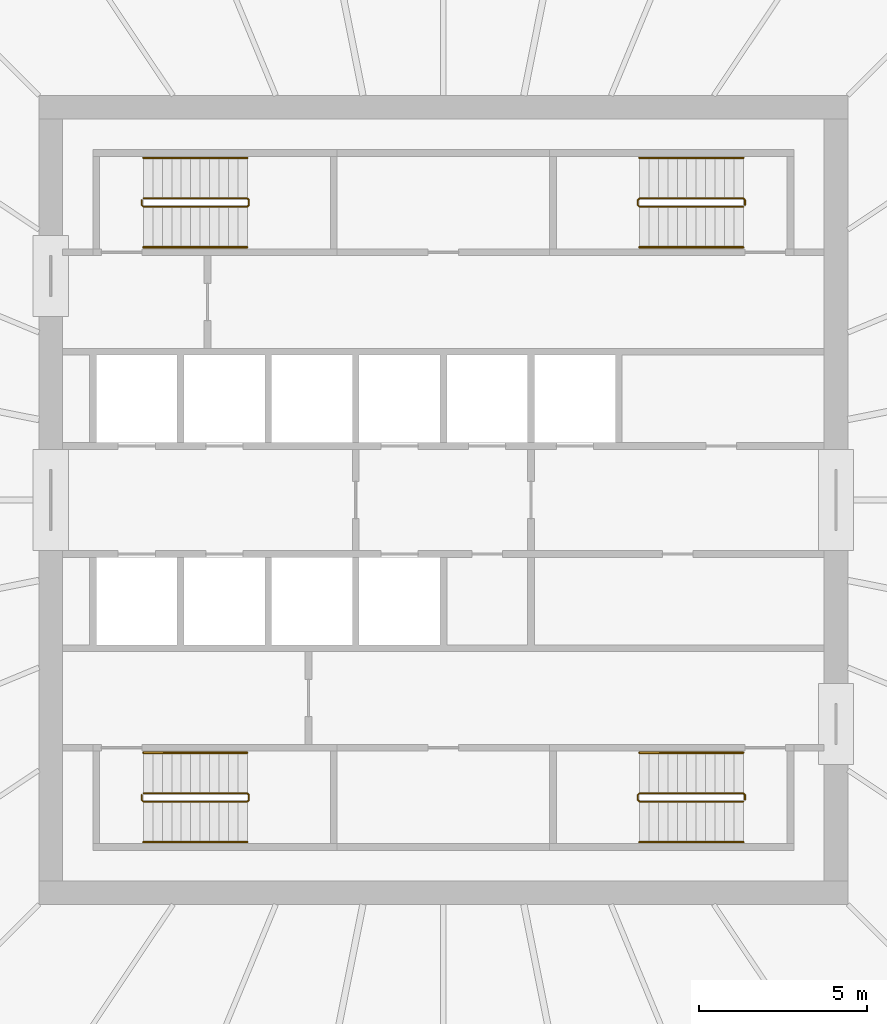
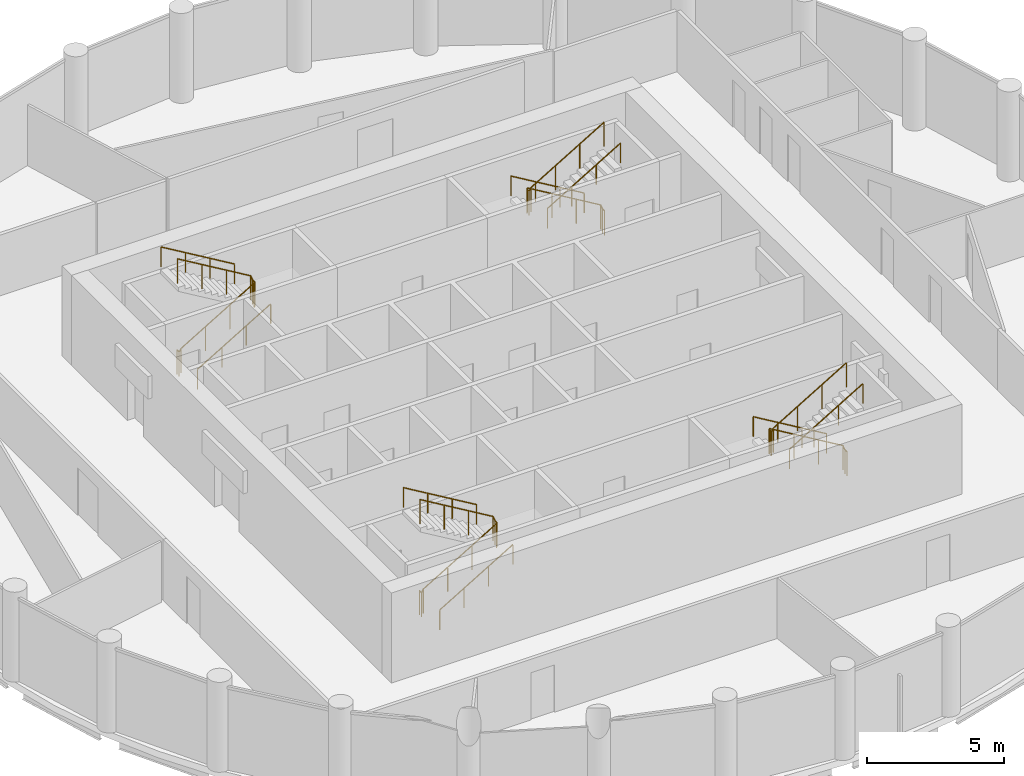
# One storey, part 7 of 7: 12 railings.
"""IFC4 building model written with IfcOpenShell, lengths in metres."""

from ifc_helpers import new_model, si_unit, direction, frame, origin, origin_2d, place, context, subcontext, project, spatial, circle, extrude, material, type_object, element, save


model = new_model("IFC4")

# Units and contexts
model_context = context("Model", 3, precision=1e-05, world=origin(), true_north=direction((0.0, 1.0)))
body_context = subcontext(model_context, "Body", "Model", "MODEL_VIEW")
ifc_project = project(units=[si_unit("LENGTHUNIT", "METRE"), si_unit("AREAUNIT", "SQUARE_METRE"), si_unit("VOLUMEUNIT", "CUBIC_METRE"), si_unit("PLANEANGLEUNIT", "RADIAN"), si_unit("MASSUNIT", "GRAM", prefix="KILO")], contexts=[model_context])

# Site, building, storey
site_placement = place(None, origin())
site = spatial("IfcSite", under=ifc_project, at=site_placement, CompositionType="ELEMENT")
building_placement = place(site_placement, origin())
building = spatial("IfcBuilding", under=site, at=building_placement, Name="Corvane Civic Tower", CompositionType="ELEMENT")
storey_placement = place(building_placement, frame((0.0, 0.0, 287.0)))
storey = spatial("IfcBuildingStorey", under=building, at=storey_placement, Name="L68", CompositionType="ELEMENT", Elevation=287.0)

# Railings
ifc_material_1 = material(Name="Steel ASTM A572 Gr 50", Category="steel")
railing_type_1 = type_object("IfcRailingType", Name="ST-GUARD-1100", PredefinedType="GUARDRAIL", material=ifc_material_1)
railing_1_placement = place(storey_placement, frame((8.949951171875, 8.75, 0.0)))
element("IfcRailing", 1, at=railing_1_placement, inside=storey, type_object=railing_type_1, Name="L68 ST1 stair guard 1", PredefinedType="GUARDRAIL", context=body_context, shape_type="SweptSolid", body=[
    extrude(circle(Radius=0.02392578125, at=origin_2d()), frame((0.0, 0.0, 1.076171875), z_axis=(0.0, 1.0, 0.0), x_axis=(-1.0, 0.0, 0.0)), (0.0, 0.0, 1.0), 0.14990234375),
    extrude(circle(Radius=0.02392578125, at=origin_2d()), frame((0.0, 0.14990234375, 1.076171875), z_axis=(-0.27628659633, 0.27628659633, 0.920506074601), x_axis=(-0.707106781187, -0.707106781187, 0.0)), (0.0, 0.0, 1.0), 0.18115234375),
    extrude(circle(Radius=0.02392578125, at=origin_2d()), frame((-0.050048828125, 0.199951171875, 1.24267578125), z_axis=(-0.859290745958, 0.0, 0.51148745235), x_axis=(0.0, -1.0, 0.0)), (0.0, 0.0, 1.0), 3.584228515625),
    extrude(circle(Radius=0.02392578125, at=origin_2d()), frame((-3.1298828125, 0.199951171875, 3.076171875), z_axis=(-0.707106781187, -0.707106781187, 0.0), x_axis=(0.707106781187, -0.707106781187, 0.0)), (0.0, 0.0, 1.0), 0.07080078125),
    extrude(circle(Radius=0.02392578125, at=origin_2d()), frame((-3.179931640625, 0.14990234375, 3.076171875), z_axis=(0.0, -1.0, 0.0), x_axis=(1.0, 0.0, 0.0)), (0.0, 0.0, 1.0), 0.14990234375),
    extrude(circle(Radius=0.02392578125, at=origin_2d()), frame((-3.179931640625, 0.0, 3.076171875), z_axis=(0.27628659633, -0.27628659633, 0.920506074601), x_axis=(0.707106781187, 0.707106781187, 0.0)), (0.0, 0.0, 1.0), 0.18115234375),
    extrude(circle(Radius=0.02392578125, at=origin_2d()), frame((-3.1298828125, -0.050048828125, 3.24267578125), z_axis=(0.859290745958, 0.0, 0.51148745235), x_axis=(0.0, 1.0, 0.0)), (0.0, 0.0, 1.0), 3.584228515625),
    extrude(circle(Radius=0.02099609375, at=origin_2d()), origin(), (0.0, 0.0, 1.0), 1.052001953125),
    extrude(circle(Radius=0.02099609375, at=origin_2d()), frame((0.0, 0.14990234375, 0.0)), (0.0, 0.0, 1.0), 1.052001953125),
    extrude(circle(Radius=0.02099609375, at=origin_2d()), frame((-0.050048828125, 0.199951171875, 0.166748046875)), (0.0, 0.0, 1.0), 1.052001953125),
    extrude(circle(Radius=0.02099609375, at=origin_2d()), frame((-1.07666015625, 0.199951171875, 0.77783203125)), (0.0, 0.0, 1.0), 1.052001953125),
    extrude(circle(Radius=0.02099609375, at=origin_2d()), frame((-2.103271484375, 0.199951171875, 1.388916015625)), (0.0, 0.0, 1.0), 1.052001953125),
    extrude(circle(Radius=0.02099609375, at=origin_2d()), frame((-3.1298828125, 0.199951171875, 2.0)), (0.0, 0.0, 1.0), 1.052001953125),
    extrude(circle(Radius=0.02099609375, at=origin_2d()), frame((-3.179931640625, 0.14990234375, 2.0)), (0.0, 0.0, 1.0), 1.052001953125),
    extrude(circle(Radius=0.02099609375, at=origin_2d()), frame((-3.179931640625, 0.0, 2.0)), (0.0, 0.0, 1.0), 1.052001953125),
    extrude(circle(Radius=0.02099609375, at=origin_2d()), frame((-3.1298828125, -0.050048828125, 2.166748046875)), (0.0, 0.0, 1.0), 1.052001953125),
    extrude(circle(Radius=0.02099609375, at=origin_2d()), frame((-2.103271484375, -0.050048828125, 2.77783203125)), (0.0, 0.0, 1.0), 1.052001953125),
    extrude(circle(Radius=0.02099609375, at=origin_2d()), frame((-1.07666015625, -0.050048828125, 3.388916015625)), (0.0, 0.0, 1.0), 1.052001953125),
    extrude(circle(Radius=0.02099609375, at=origin_2d()), frame((-0.050048828125, -0.050048828125, 4.0)), (0.0, 0.0, 1.0), 1.052001953125),
])
railing_2_placement = place(storey_placement, frame((8.949951171875, -8.89990234375, 0.0)))
element("IfcRailing", 2, at=railing_2_placement, inside=storey, type_object=railing_type_1, Name="L68 ST2 stair guard 1", PredefinedType="GUARDRAIL", context=body_context, shape_type="SweptSolid", body=[
    extrude(circle(Radius=0.02392578125, at=origin_2d()), frame((0.0, 0.0, 1.076171875), z_axis=(0.0, 1.0, 0.0), x_axis=(-1.0, 0.0, 0.0)), (0.0, 0.0, 1.0), 0.14990234375),
    extrude(circle(Radius=0.02392578125, at=origin_2d()), frame((0.0, 0.14990234375, 1.076171875), z_axis=(-0.27628659633, 0.27628659633, 0.920506074601), x_axis=(-0.707106781187, -0.707106781187, 0.0)), (0.0, 0.0, 1.0), 0.18115234375),
    extrude(circle(Radius=0.02392578125, at=origin_2d()), frame((-0.050048828125, 0.199951171875, 1.24267578125), z_axis=(-0.859290745958, 0.0, 0.51148745235), x_axis=(0.0, -1.0, 0.0)), (0.0, 0.0, 1.0), 3.584228515625),
    extrude(circle(Radius=0.02392578125, at=origin_2d()), frame((-3.1298828125, 0.199951171875, 3.076171875), z_axis=(-0.707106781187, -0.707106781187, 0.0), x_axis=(0.707106781187, -0.707106781187, 0.0)), (0.0, 0.0, 1.0), 0.07080078125),
    extrude(circle(Radius=0.02392578125, at=origin_2d()), frame((-3.179931640625, 0.14990234375, 3.076171875), z_axis=(0.0, -1.0, 0.0), x_axis=(1.0, 0.0, 0.0)), (0.0, 0.0, 1.0), 0.14990234375),
    extrude(circle(Radius=0.02392578125, at=origin_2d()), frame((-3.179931640625, 0.0, 3.076171875), z_axis=(0.27628659633, -0.27628659633, 0.920506074601), x_axis=(0.707106781187, 0.707106781187, 0.0)), (0.0, 0.0, 1.0), 0.18115234375),
    extrude(circle(Radius=0.02392578125, at=origin_2d()), frame((-3.1298828125, -0.050048828125, 3.24267578125), z_axis=(0.859290745958, 0.0, 0.51148745235), x_axis=(0.0, 1.0, 0.0)), (0.0, 0.0, 1.0), 3.584228515625),
    extrude(circle(Radius=0.02099609375, at=origin_2d()), origin(), (0.0, 0.0, 1.0), 1.052001953125),
    extrude(circle(Radius=0.02099609375, at=origin_2d()), frame((0.0, 0.14990234375, 0.0)), (0.0, 0.0, 1.0), 1.052001953125),
    extrude(circle(Radius=0.02099609375, at=origin_2d()), frame((-0.050048828125, 0.199951171875, 0.166748046875)), (0.0, 0.0, 1.0), 1.052001953125),
    extrude(circle(Radius=0.02099609375, at=origin_2d()), frame((-1.07666015625, 0.199951171875, 0.77783203125)), (0.0, 0.0, 1.0), 1.052001953125),
    extrude(circle(Radius=0.02099609375, at=origin_2d()), frame((-2.103271484375, 0.199951171875, 1.388916015625)), (0.0, 0.0, 1.0), 1.052001953125),
    extrude(circle(Radius=0.02099609375, at=origin_2d()), frame((-3.1298828125, 0.199951171875, 2.0)), (0.0, 0.0, 1.0), 1.052001953125),
    extrude(circle(Radius=0.02099609375, at=origin_2d()), frame((-3.179931640625, 0.14990234375, 2.0)), (0.0, 0.0, 1.0), 1.052001953125),
    extrude(circle(Radius=0.02099609375, at=origin_2d()), frame((-3.179931640625, 0.0, 2.0)), (0.0, 0.0, 1.0), 1.052001953125),
    extrude(circle(Radius=0.02099609375, at=origin_2d()), frame((-3.1298828125, -0.050048828125, 2.166748046875)), (0.0, 0.0, 1.0), 1.052001953125),
    extrude(circle(Radius=0.02099609375, at=origin_2d()), frame((-2.103271484375, -0.050048828125, 2.77783203125)), (0.0, 0.0, 1.0), 1.052001953125),
    extrude(circle(Radius=0.02099609375, at=origin_2d()), frame((-1.07666015625, -0.050048828125, 3.388916015625)), (0.0, 0.0, 1.0), 1.052001953125),
    extrude(circle(Radius=0.02099609375, at=origin_2d()), frame((-0.050048828125, -0.050048828125, 4.0)), (0.0, 0.0, 1.0), 1.052001953125),
])
railing_3_placement = place(storey_placement, frame((-8.949951171875, -8.75, 0.0)))
element("IfcRailing", 3, at=railing_3_placement, inside=storey, type_object=railing_type_1, Name="L68 ST3 stair guard 1", PredefinedType="GUARDRAIL", context=body_context, shape_type="SweptSolid", body=[
    extrude(circle(Radius=0.02392578125, at=origin_2d()), frame((0.0, 0.0, 1.076171875), z_axis=(0.0, -1.0, 0.0), x_axis=(1.0, 0.0, 0.0)), (0.0, 0.0, 1.0), 0.14990234375),
    extrude(circle(Radius=0.02392578125, at=origin_2d()), frame((0.0, -0.14990234375, 1.076171875), z_axis=(0.27628659633, -0.27628659633, 0.920506074601), x_axis=(0.707106781187, 0.707106781187, 0.0)), (0.0, 0.0, 1.0), 0.18115234375),
    extrude(circle(Radius=0.02392578125, at=origin_2d()), frame((0.050048828125, -0.199951171875, 1.24267578125), z_axis=(0.859290745958, 0.0, 0.51148745235), x_axis=(0.0, 1.0, 0.0)), (0.0, 0.0, 1.0), 3.584228515625),
    extrude(circle(Radius=0.02392578125, at=origin_2d()), frame((3.1298828125, -0.199951171875, 3.076171875), z_axis=(0.707106781187, 0.707106781187, 0.0), x_axis=(-0.707106781187, 0.707106781187, 0.0)), (0.0, 0.0, 1.0), 0.07080078125),
    extrude(circle(Radius=0.02392578125, at=origin_2d()), frame((3.179931640625, -0.14990234375, 3.076171875), z_axis=(0.0, 1.0, 0.0), x_axis=(-1.0, 0.0, 0.0)), (0.0, 0.0, 1.0), 0.14990234375),
    extrude(circle(Radius=0.02392578125, at=origin_2d()), frame((3.179931640625, 0.0, 3.076171875), z_axis=(-0.27628659633, 0.27628659633, 0.920506074601), x_axis=(-0.707106781187, -0.707106781187, 0.0)), (0.0, 0.0, 1.0), 0.18115234375),
    extrude(circle(Radius=0.02392578125, at=origin_2d()), frame((3.1298828125, 0.050048828125, 3.24267578125), z_axis=(-0.859290745958, 0.0, 0.51148745235), x_axis=(0.0, -1.0, 0.0)), (0.0, 0.0, 1.0), 3.584228515625),
    extrude(circle(Radius=0.02099609375, at=origin_2d()), origin(), (0.0, 0.0, 1.0), 1.052001953125),
    extrude(circle(Radius=0.02099609375, at=origin_2d()), frame((0.0, -0.14990234375, 0.0)), (0.0, 0.0, 1.0), 1.052001953125),
    extrude(circle(Radius=0.02099609375, at=origin_2d()), frame((0.050048828125, -0.199951171875, 0.166748046875)), (0.0, 0.0, 1.0), 1.052001953125),
    extrude(circle(Radius=0.02099609375, at=origin_2d()), frame((1.07666015625, -0.199951171875, 0.77783203125)), (0.0, 0.0, 1.0), 1.052001953125),
    extrude(circle(Radius=0.02099609375, at=origin_2d()), frame((2.103271484375, -0.199951171875, 1.388916015625)), (0.0, 0.0, 1.0), 1.052001953125),
    extrude(circle(Radius=0.02099609375, at=origin_2d()), frame((3.1298828125, -0.199951171875, 2.0)), (0.0, 0.0, 1.0), 1.052001953125),
    extrude(circle(Radius=0.02099609375, at=origin_2d()), frame((3.179931640625, -0.14990234375, 2.0)), (0.0, 0.0, 1.0), 1.052001953125),
    extrude(circle(Radius=0.02099609375, at=origin_2d()), frame((3.179931640625, 0.0, 2.0)), (0.0, 0.0, 1.0), 1.052001953125),
    extrude(circle(Radius=0.02099609375, at=origin_2d()), frame((3.1298828125, 0.050048828125, 2.166748046875)), (0.0, 0.0, 1.0), 1.052001953125),
    extrude(circle(Radius=0.02099609375, at=origin_2d()), frame((2.103271484375, 0.050048828125, 2.77783203125)), (0.0, 0.0, 1.0), 1.052001953125),
    extrude(circle(Radius=0.02099609375, at=origin_2d()), frame((1.07666015625, 0.050048828125, 3.388916015625)), (0.0, 0.0, 1.0), 1.052001953125),
    extrude(circle(Radius=0.02099609375, at=origin_2d()), frame((0.050048828125, 0.050048828125, 4.0)), (0.0, 0.0, 1.0), 1.052001953125),
])
railing_4_placement = place(storey_placement, frame((-8.949951171875, 8.89990234375, 0.0)))
element("IfcRailing", 4, at=railing_4_placement, inside=storey, type_object=railing_type_1, Name="L68 ST4 stair guard 1", PredefinedType="GUARDRAIL", context=body_context, shape_type="SweptSolid", body=[
    extrude(circle(Radius=0.02392578125, at=origin_2d()), frame((0.0, 0.0, 1.076171875), z_axis=(0.0, -1.0, 0.0), x_axis=(1.0, 0.0, 0.0)), (0.0, 0.0, 1.0), 0.14990234375),
    extrude(circle(Radius=0.02392578125, at=origin_2d()), frame((0.0, -0.14990234375, 1.076171875), z_axis=(0.27628659633, -0.27628659633, 0.920506074601), x_axis=(0.707106781187, 0.707106781187, 0.0)), (0.0, 0.0, 1.0), 0.18115234375),
    extrude(circle(Radius=0.02392578125, at=origin_2d()), frame((0.050048828125, -0.199951171875, 1.24267578125), z_axis=(0.859290745958, 0.0, 0.51148745235), x_axis=(0.0, 1.0, 0.0)), (0.0, 0.0, 1.0), 3.584228515625),
    extrude(circle(Radius=0.02392578125, at=origin_2d()), frame((3.1298828125, -0.199951171875, 3.076171875), z_axis=(0.707106781187, 0.707106781187, 0.0), x_axis=(-0.707106781187, 0.707106781187, 0.0)), (0.0, 0.0, 1.0), 0.07080078125),
    extrude(circle(Radius=0.02392578125, at=origin_2d()), frame((3.179931640625, -0.14990234375, 3.076171875), z_axis=(0.0, 1.0, 0.0), x_axis=(-1.0, 0.0, 0.0)), (0.0, 0.0, 1.0), 0.14990234375),
    extrude(circle(Radius=0.02392578125, at=origin_2d()), frame((3.179931640625, 0.0, 3.076171875), z_axis=(-0.27628659633, 0.27628659633, 0.920506074601), x_axis=(-0.707106781187, -0.707106781187, 0.0)), (0.0, 0.0, 1.0), 0.18115234375),
    extrude(circle(Radius=0.02392578125, at=origin_2d()), frame((3.1298828125, 0.050048828125, 3.24267578125), z_axis=(-0.859290745958, 0.0, 0.51148745235), x_axis=(0.0, -1.0, 0.0)), (0.0, 0.0, 1.0), 3.584228515625),
    extrude(circle(Radius=0.02099609375, at=origin_2d()), origin(), (0.0, 0.0, 1.0), 1.052001953125),
    extrude(circle(Radius=0.02099609375, at=origin_2d()), frame((0.0, -0.14990234375, 0.0)), (0.0, 0.0, 1.0), 1.052001953125),
    extrude(circle(Radius=0.02099609375, at=origin_2d()), frame((0.050048828125, -0.199951171875, 0.166748046875)), (0.0, 0.0, 1.0), 1.052001953125),
    extrude(circle(Radius=0.02099609375, at=origin_2d()), frame((1.07666015625, -0.199951171875, 0.77783203125)), (0.0, 0.0, 1.0), 1.052001953125),
    extrude(circle(Radius=0.02099609375, at=origin_2d()), frame((2.103271484375, -0.199951171875, 1.388916015625)), (0.0, 0.0, 1.0), 1.052001953125),
    extrude(circle(Radius=0.02099609375, at=origin_2d()), frame((3.1298828125, -0.199951171875, 2.0)), (0.0, 0.0, 1.0), 1.052001953125),
    extrude(circle(Radius=0.02099609375, at=origin_2d()), frame((3.179931640625, -0.14990234375, 2.0)), (0.0, 0.0, 1.0), 1.052001953125),
    extrude(circle(Radius=0.02099609375, at=origin_2d()), frame((3.179931640625, 0.0, 2.0)), (0.0, 0.0, 1.0), 1.052001953125),
    extrude(circle(Radius=0.02099609375, at=origin_2d()), frame((3.1298828125, 0.050048828125, 2.166748046875)), (0.0, 0.0, 1.0), 1.052001953125),
    extrude(circle(Radius=0.02099609375, at=origin_2d()), frame((2.103271484375, 0.050048828125, 2.77783203125)), (0.0, 0.0, 1.0), 1.052001953125),
    extrude(circle(Radius=0.02099609375, at=origin_2d()), frame((1.07666015625, 0.050048828125, 3.388916015625)), (0.0, 0.0, 1.0), 1.052001953125),
    extrude(circle(Radius=0.02099609375, at=origin_2d()), frame((0.050048828125, 0.050048828125, 4.0)), (0.0, 0.0, 1.0), 1.052001953125),
])
ifc_material_2 = material(Name="Steel ASTM A572 Gr 50", Category="steel")
railing_type_2 = type_object("IfcRailingType", Name="ST-HANDRAIL-900", PredefinedType="HANDRAIL", material=ifc_material_2)
railing_5_placement = place(storey_placement, frame((8.89990234375, 10.14990234375, 0.166748046875)))
element("IfcRailing", 5, at=railing_5_placement, inside=storey, type_object=railing_type_2, Name="L68 ST1 stair handrail 1", PredefinedType="HANDRAIL", context=body_context, shape_type="SweptSolid", body=[
    extrude(circle(Radius=0.02392578125, at=origin_2d()), frame((0.0, 0.0, 0.8759765625), z_axis=(-0.859290745958, 0.0, 0.51148745235), x_axis=(0.0, -1.0, 0.0)), (0.0, 0.0, 1.0), 3.584228515625),
    extrude(circle(Radius=0.02099609375, at=origin_2d()), origin(), (0.0, 0.0, 1.0), 0.851806640625),
    extrude(circle(Radius=0.02099609375, at=origin_2d()), frame((-1.026611328125, 0.0, 0.611083984375)), (0.0, 0.0, 1.0), 0.851806640625),
    extrude(circle(Radius=0.02099609375, at=origin_2d()), frame((-2.05322265625, 0.0, 1.22216796875)), (0.0, 0.0, 1.0), 0.851806640625),
    extrude(circle(Radius=0.02099609375, at=origin_2d()), frame((-3.079833984375, 0.0, 1.833251953125)), (0.0, 0.0, 1.0), 0.851806640625),
])
railing_6_placement = place(storey_placement, frame((5.820068359375, 7.5, 2.166748046875)))
element("IfcRailing", 6, at=railing_6_placement, inside=storey, type_object=railing_type_2, Name="L68 ST1 stair handrail 2", PredefinedType="HANDRAIL", context=body_context, shape_type="SweptSolid", body=[
    extrude(circle(Radius=0.02392578125, at=origin_2d()), frame((0.0, 0.0, 0.8759765625), z_axis=(0.859290745958, 0.0, 0.51148745235), x_axis=(0.0, 1.0, 0.0)), (0.0, 0.0, 1.0), 3.584228515625),
    extrude(circle(Radius=0.02099609375, at=origin_2d()), origin(), (0.0, 0.0, 1.0), 0.851806640625),
    extrude(circle(Radius=0.02099609375, at=origin_2d()), frame((1.026611328125, 0.0, 0.611083984375)), (0.0, 0.0, 1.0), 0.851806640625),
    extrude(circle(Radius=0.02099609375, at=origin_2d()), frame((2.05322265625, 0.0, 1.22216796875)), (0.0, 0.0, 1.0), 0.851806640625),
    extrude(circle(Radius=0.02099609375, at=origin_2d()), frame((3.079833984375, 0.0, 1.833251953125)), (0.0, 0.0, 1.0), 0.851806640625),
])
railing_7_placement = place(storey_placement, frame((8.89990234375, -7.5, 0.166748046875)))
element("IfcRailing", 7, at=railing_7_placement, inside=storey, type_object=railing_type_2, Name="L68 ST2 stair handrail 1", PredefinedType="HANDRAIL", context=body_context, shape_type="SweptSolid", body=[
    extrude(circle(Radius=0.02392578125, at=origin_2d()), frame((0.0, 0.0, 0.8759765625), z_axis=(-0.859290745958, 0.0, 0.51148745235), x_axis=(0.0, -1.0, 0.0)), (0.0, 0.0, 1.0), 3.584228515625),
    extrude(circle(Radius=0.02099609375, at=origin_2d()), origin(), (0.0, 0.0, 1.0), 0.851806640625),
    extrude(circle(Radius=0.02099609375, at=origin_2d()), frame((-1.026611328125, 0.0, 0.611083984375)), (0.0, 0.0, 1.0), 0.851806640625),
    extrude(circle(Radius=0.02099609375, at=origin_2d()), frame((-2.05322265625, 0.0, 1.22216796875)), (0.0, 0.0, 1.0), 0.851806640625),
    extrude(circle(Radius=0.02099609375, at=origin_2d()), frame((-3.079833984375, 0.0, 1.833251953125)), (0.0, 0.0, 1.0), 0.851806640625),
])
for number, where, name in (
    (8, (5.820068359375, -10.14990234375, 2.166748046875), "L68 ST2 stair handrail 2"),
    (9, (-8.89990234375, -10.14990234375, 0.166748046875), "L68 ST3 stair handrail 1"),
):
    element("IfcRailing", number, at=place(storey_placement, frame(where)), inside=storey, type_object=railing_type_2, Name=name, PredefinedType="HANDRAIL", context=body_context, shape_type="SweptSolid", body=[
        extrude(circle(Radius=0.02392578125, at=origin_2d()), frame((0.0, 0.0, 0.8759765625), z_axis=(0.859290745958, 0.0, 0.51148745235), x_axis=(0.0, 1.0, 0.0)), (0.0, 0.0, 1.0), 3.584228515625),
        extrude(circle(Radius=0.02099609375, at=origin_2d()), origin(), (0.0, 0.0, 1.0), 0.851806640625),
        extrude(circle(Radius=0.02099609375, at=origin_2d()), frame((1.026611328125, 0.0, 0.611083984375)), (0.0, 0.0, 1.0), 0.851806640625),
        extrude(circle(Radius=0.02099609375, at=origin_2d()), frame((2.05322265625, 0.0, 1.22216796875)), (0.0, 0.0, 1.0), 0.851806640625),
        extrude(circle(Radius=0.02099609375, at=origin_2d()), frame((3.079833984375, 0.0, 1.833251953125)), (0.0, 0.0, 1.0), 0.851806640625),
    ])
railing_8_placement = place(storey_placement, frame((-5.820068359375, -7.5, 2.166748046875)))
element("IfcRailing", 10, at=railing_8_placement, inside=storey, type_object=railing_type_2, Name="L68 ST3 stair handrail 2", PredefinedType="HANDRAIL", context=body_context, shape_type="SweptSolid", body=[
    extrude(circle(Radius=0.02392578125, at=origin_2d()), frame((0.0, 0.0, 0.8759765625), z_axis=(-0.859290745958, 0.0, 0.51148745235), x_axis=(0.0, -1.0, 0.0)), (0.0, 0.0, 1.0), 3.584228515625),
    extrude(circle(Radius=0.02099609375, at=origin_2d()), origin(), (0.0, 0.0, 1.0), 0.851806640625),
    extrude(circle(Radius=0.02099609375, at=origin_2d()), frame((-1.026611328125, 0.0, 0.611083984375)), (0.0, 0.0, 1.0), 0.851806640625),
    extrude(circle(Radius=0.02099609375, at=origin_2d()), frame((-2.05322265625, 0.0, 1.22216796875)), (0.0, 0.0, 1.0), 0.851806640625),
    extrude(circle(Radius=0.02099609375, at=origin_2d()), frame((-3.079833984375, 0.0, 1.833251953125)), (0.0, 0.0, 1.0), 0.851806640625),
])
railing_9_placement = place(storey_placement, frame((-8.89990234375, 7.5, 0.166748046875)))
element("IfcRailing", 11, at=railing_9_placement, inside=storey, type_object=railing_type_2, Name="L68 ST4 stair handrail 1", PredefinedType="HANDRAIL", context=body_context, shape_type="SweptSolid", body=[
    extrude(circle(Radius=0.02392578125, at=origin_2d()), frame((0.0, 0.0, 0.8759765625), z_axis=(0.859290745958, 0.0, 0.51148745235), x_axis=(0.0, 1.0, 0.0)), (0.0, 0.0, 1.0), 3.584228515625),
    extrude(circle(Radius=0.02099609375, at=origin_2d()), origin(), (0.0, 0.0, 1.0), 0.851806640625),
    extrude(circle(Radius=0.02099609375, at=origin_2d()), frame((1.026611328125, 0.0, 0.611083984375)), (0.0, 0.0, 1.0), 0.851806640625),
    extrude(circle(Radius=0.02099609375, at=origin_2d()), frame((2.05322265625, 0.0, 1.22216796875)), (0.0, 0.0, 1.0), 0.851806640625),
    extrude(circle(Radius=0.02099609375, at=origin_2d()), frame((3.079833984375, 0.0, 1.833251953125)), (0.0, 0.0, 1.0), 0.851806640625),
])
railing_10_placement = place(storey_placement, frame((-5.820068359375, 10.14990234375, 2.166748046875)))
element("IfcRailing", 12, at=railing_10_placement, inside=storey, type_object=railing_type_2, Name="L68 ST4 stair handrail 2", PredefinedType="HANDRAIL", context=body_context, shape_type="SweptSolid", body=[
    extrude(circle(Radius=0.02392578125, at=origin_2d()), frame((0.0, 0.0, 0.8759765625), z_axis=(-0.859290745958, 0.0, 0.51148745235), x_axis=(0.0, -1.0, 0.0)), (0.0, 0.0, 1.0), 3.584228515625),
    extrude(circle(Radius=0.02099609375, at=origin_2d()), origin(), (0.0, 0.0, 1.0), 0.851806640625),
    extrude(circle(Radius=0.02099609375, at=origin_2d()), frame((-1.026611328125, 0.0, 0.611083984375)), (0.0, 0.0, 1.0), 0.851806640625),
    extrude(circle(Radius=0.02099609375, at=origin_2d()), frame((-2.05322265625, 0.0, 1.22216796875)), (0.0, 0.0, 1.0), 0.851806640625),
    extrude(circle(Radius=0.02099609375, at=origin_2d()), frame((-3.079833984375, 0.0, 1.833251953125)), (0.0, 0.0, 1.0), 0.851806640625),
])

save(model, "model.ifc")
